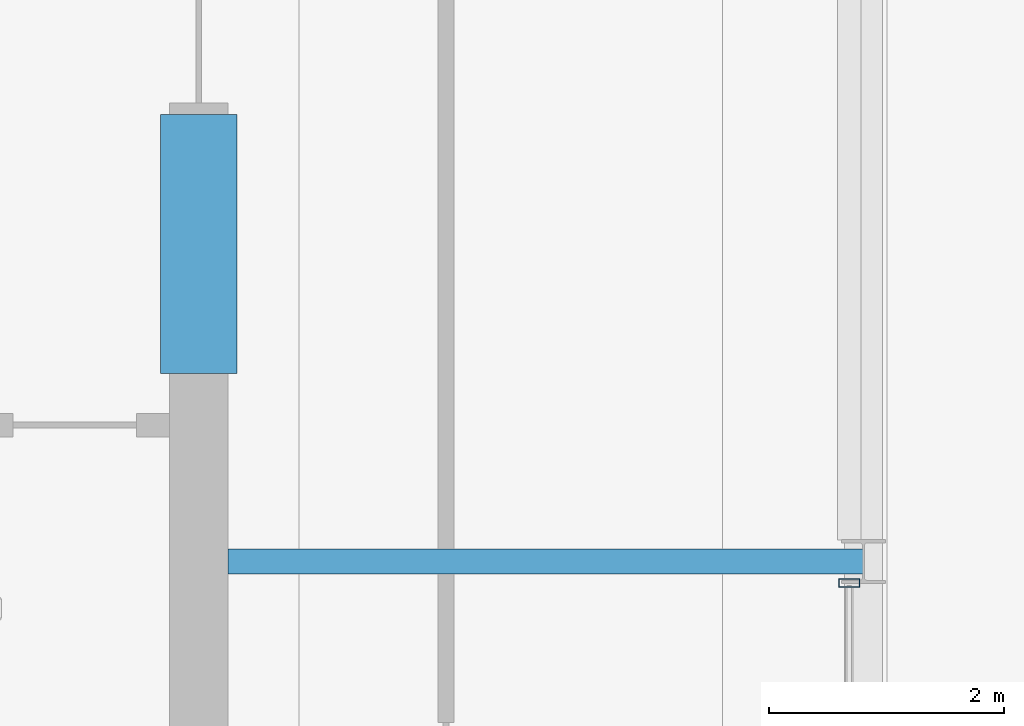
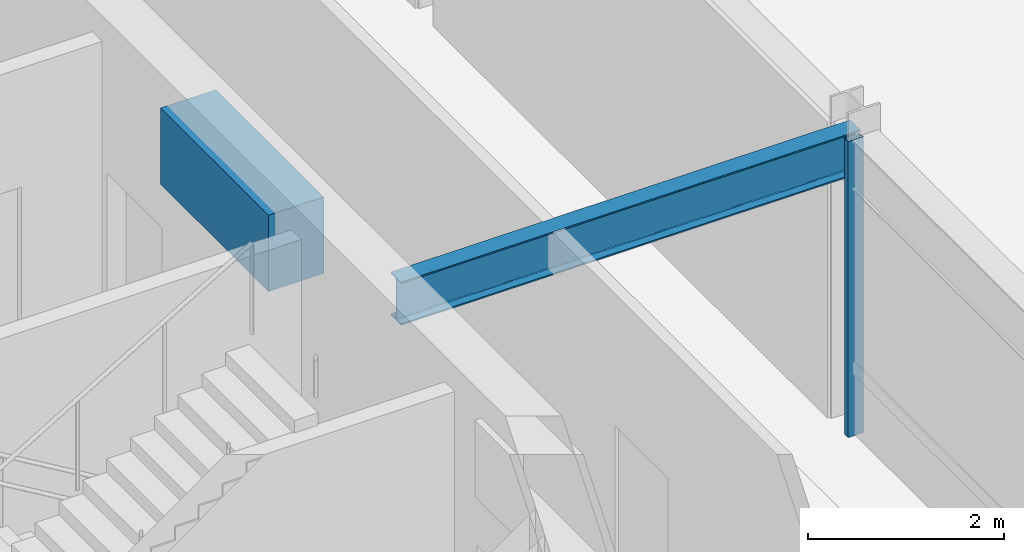
# One storey, part 10 of 17: 2 beams, 1 member, 1 element without a shape of its own.
"""IFC4 building model written with IfcOpenShell, lengths in metres."""

from ifc_helpers import new_model, si_unit, direction, frame, origin, origin_2d, place, context, subcontext, project, spatial, rectangle, hollow_rectangle, i_section, extrude, material, layer, layer_set, material_profile, profile_set, type_object, element, aggregate, save


model = new_model("IFC4")

# Units and contexts
model_context = context("Model", 3, precision=1e-05, world=origin(), true_north=direction((0.0, 1.0)))
body_context = subcontext(model_context, "Body", "Model", "MODEL_VIEW")
ifc_project = project(units=[si_unit("LENGTHUNIT", "METRE"), si_unit("AREAUNIT", "SQUARE_METRE"), si_unit("VOLUMEUNIT", "CUBIC_METRE"), si_unit("PLANEANGLEUNIT", "RADIAN"), si_unit("MASSUNIT", "GRAM", prefix="KILO")], contexts=[model_context])

# Site, building, storey
site_placement = place(None, origin())
site = spatial("IfcSite", under=ifc_project, at=site_placement, CompositionType="ELEMENT")
building_placement = place(site_placement, origin())
building = spatial("IfcBuilding", under=site, at=building_placement, Name="Drelvath Grand Hotel", CompositionType="ELEMENT")
storey_placement = place(building_placement, frame((0.0, 0.0, 311.39990234375)))
storey = spatial("IfcBuildingStorey", under=building, at=storey_placement, Name="L81", CompositionType="ELEMENT", Elevation=311.39990234375)

# Beam
ifc_material_1 = material(Name="Concrete f'c 55 MPa", Category="concrete")
ifc_material_profile_1 = material_profile(ifc_material_1, rectangle(XDim=0.64990234375, YDim=0.949951171875, at=origin_2d()), Name="CB650X950")
ifc_profile_set_1 = profile_set([ifc_material_profile_1], Name="Concrete f'c 55 MPa")
beam_type_1 = type_object("IfcBeamType", Name="Core Coupling Lintel CB650X950", PredefinedType="LINTEL", material=ifc_profile_set_1)
beam_1_placement = place(storey_placement, frame((8.35009765625, 28.60009765625, 3.205078125), z_axis=(0.0, 1.0, 0.0), x_axis=(-1.0, 0.0, 0.0)))
element("IfcBeam", 1, at=beam_1_placement, inside=storey, type_object=beam_type_1, Name="L81 Core Coupling Lintel EN", PredefinedType="LINTEL", context=body_context, shape_type="SweptSolid", body=[
    extrude(rectangle(XDim=0.64990234375, YDim=0.949951171875, at=origin_2d()), origin(), (0.0, 0.0, 1.0), 2.199951171875),
])

# Curtain wall, member
ifc_material_2 = material(Name="Pale-Metal Anodised Aluminium Crown Frame", Category="aluminium")
ifc_layer = layer(ifc_material_2, 0.199951171875)
ifc_layer_set = layer_set([ifc_layer], Name="Pale-Metal Anodised Aluminium Crown Frame")
curtain_wall_type = type_object("IfcCurtainWallType", Name="Stick Curtain Wall CW-06 Pale-Metal Crown Clerestory", PredefinedType="NOTDEFINED", material=ifc_layer_set)
curtain_wall_placement = place(storey_placement, origin())
curtain_wall = element("IfcCurtainWall", 2, at=curtain_wall_placement, inside=storey, type_object=curtain_wall_type, Name="L81 CW-06 Curtain Wall CW06-L81-E", PredefinedType="NOTDEFINED")
ifc_material_profile_2 = material_profile(ifc_material_2, hollow_rectangle(XDim=0.074951171875, YDim=0.179931640625, WallThickness=0.0048828125, at=origin_2d()), Name="HSS180X75X5")
ifc_profile_set_2 = profile_set([ifc_material_profile_2], Name="Pale-Metal Anodised Aluminium Crown Frame")
member_type = type_object("IfcMemberType", Name="Curtain Wall Vertical Mullion CW-06 HSS180X75X5", PredefinedType="MULLION", material=ifc_profile_set_2)
member_placement = place(storey_placement, frame((13.8798828125, 26.81787109375, 0.0), z_axis=(0.0, 0.0, 1.0), x_axis=(0.0, 1.0, 0.0)))
member = element("IfcMember", 3, at=member_placement, type_object=member_type, Name="CW06-L81-E Mullion 1", PredefinedType="MULLION", context=body_context, shape_type="SweptSolid", body=[
    extrude(hollow_rectangle(XDim=0.074951171875, YDim=0.179931640625, WallThickness=0.0048828125, at=origin_2d()), origin(), (0.0, 0.0, 1.0), 3.68017578125),
])
aggregate(curtain_wall, [member])

# Beam
ifc_material_3 = material(Name="Steel ASTM A992 Gr 50", Category="steel")
ifc_material_profile_3 = material_profile(ifc_material_3, i_section(OverallWidth=0.210205078125, OverallDepth=0.53662109375, WebThickness=0.010986328125, FlangeThickness=0.017333984375, FilletRadius=0.01806640625, at=origin_2d()), Name="W21X68")
ifc_profile_set_3 = profile_set([ifc_material_profile_3], Name="Steel ASTM A992 Gr 50")
beam_type_2 = type_object("IfcBeamType", Name="Primary Floor Girder W21X68", PredefinedType="BEAM", material=ifc_profile_set_3)
beam_2_placement = place(storey_placement, frame((8.60009765625, 27.0, 3.41162109375), z_axis=(1.0, 0.0, 0.0), x_axis=(0.0, 1.0, 0.0)))
element("IfcBeam", 4, at=beam_2_placement, inside=storey, type_object=beam_type_2, Name="L81 Crown Drum Tie East E", PredefinedType="BEAM", context=body_context, shape_type="SweptSolid", body=[
    extrude(i_section(OverallWidth=0.210205078125, OverallDepth=0.53662109375, WebThickness=0.010986328125, FlangeThickness=0.017333984375, FilletRadius=0.01806640625, at=origin_2d()), origin(), (0.0, 0.0, 1.0), 5.39990234375),
])

save(model, "model.ifc")
